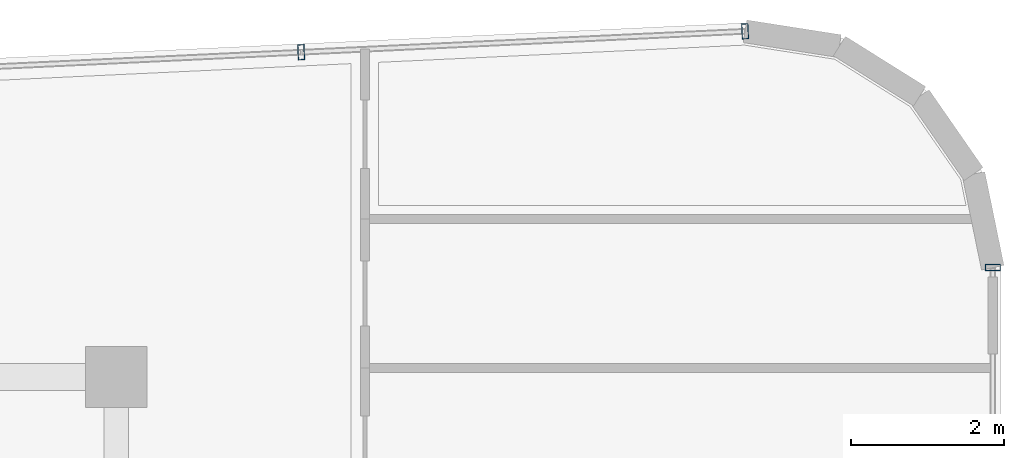
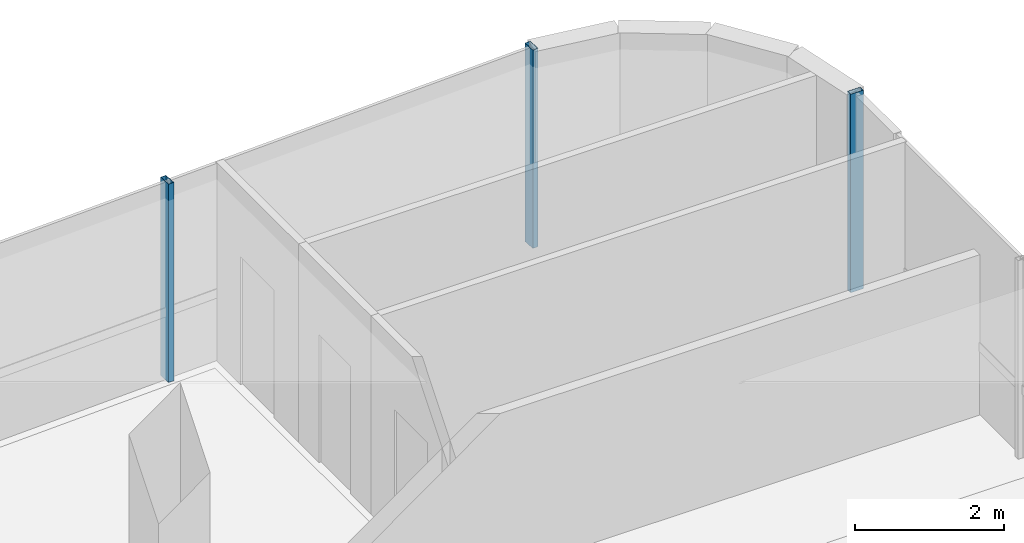
# One storey, part 12 of 18: 3 members, 2 elements without a shape of their own.
"""IFC4 building model written with IfcOpenShell, lengths in metres."""

import ifcopenshell
import ifcopenshell.guid

model = None  # the IFC model being written
_history = None  # IfcOwnerHistory: only IFC2X3 demands one
_inside = {}  # id of a spatial element -> (the spatial element, [elements in it])
_under = {}  # id of a project, library or spatial element -> (it, [spatial elements below it])
_declared = {}  # id of a project -> (the project, [libraries it declares])
_typed = {}  # id of a type object -> (the type object, [elements of that type])
_made_of = {}  # id of a material, layer set ... -> (it, [elements and type objects made of it])


def new_model(schema):
    """Start an empty IFC model of exactly this schema.

    Asked for "IFC4X3", IfcOpenShell would pick the latest addendum, in which some entities
    have other attributes; the version numbers below select the first issue.
    IFC2X3 requires an IfcOwnerHistory on every rooted entity: one is made here for all.
    """
    global model, _history
    if schema == "IFC4X3":
        model = ifcopenshell.file(schema_version=(4, 3, 0, 0))
    else:
        model = ifcopenshell.file(schema=schema)
    _inside.clear()
    _under.clear()
    _declared.clear()
    _typed.clear()
    _made_of.clear()
    _history = None
    if model.schema == "IFC2X3":
        org = make("IfcOrganization", Name="unknown")
        user = make(
            "IfcPersonAndOrganization",
            ThePerson=make("IfcPerson", FamilyName="unknown"),
            TheOrganization=org,
        )
        app = make(
            "IfcApplication",
            ApplicationDeveloper=org,
            Version="unknown",
            ApplicationFullName="unknown",
            ApplicationIdentifier="unknown",
        )
        _history = make(
            "IfcOwnerHistory",
            OwningUser=user,
            OwningApplication=app,
            ChangeAction="ADDED",
            CreationDate=0,
        )
    return model


def make(cls, **values):
    """One entity of the class cls with the attributes given. An attribute that is None is left unset."""
    return model.create_entity(
        cls, **{name: value for name, value in values.items() if value is not None}
    )


def rooted(cls, **values):
    """An entity with a GlobalId (a new one), such as an element, a storey or a relation."""
    return make(cls, GlobalId=ifcopenshell.guid.new(), OwnerHistory=_history, **values)


def si_unit(unit_type, name, prefix=None):
    """IfcSIUnit, for example si_unit("LENGTHUNIT", "METRE", prefix="MILLI")."""
    return make("IfcSIUnit", UnitType=unit_type, Prefix=prefix, Name=name)


def assignment(units):
    """IfcUnitAssignment: the units of a project."""
    return None if units is None else make("IfcUnitAssignment", Units=units)


def point(xyz):
    """IfcCartesianPoint."""
    return None if xyz is None else make("IfcCartesianPoint", Coordinates=xyz)


def direction(xyz):
    """IfcDirection."""
    return None if xyz is None else make("IfcDirection", DirectionRatios=xyz)


def frame(location, z_axis=None, x_axis=None):
    """IfcAxis2Placement3D, a coordinate frame: its origin and axes. An axis left out is left unset."""
    return make(
        "IfcAxis2Placement3D",
        Location=point(location),
        Axis=direction(z_axis),
        RefDirection=direction(x_axis),
    )


def frame_2d(location, x_axis=None):
    """IfcAxis2Placement2D, a coordinate frame in the plane: its origin and x axis."""
    return make(
        "IfcAxis2Placement2D", Location=point(location), RefDirection=direction(x_axis)
    )


def origin():
    """The frame at (0, 0, 0) with its axes left unset."""
    return frame((0.0, 0.0, 0.0))


def origin_2d():
    """The frame at (0, 0) in the plane with its x axis left unset."""
    return frame_2d((0.0, 0.0))


def place(relative_to, where):
    """IfcLocalPlacement: puts the frame where relative to a parent placement (None: the world)."""
    return make(
        "IfcLocalPlacement", PlacementRelTo=relative_to, RelativePlacement=where
    )


def context(
    kind, dimensions, precision=None, world=None, true_north=None, identifier=None
):
    """IfcGeometricRepresentationContext, for example the 3D "Model" context."""
    return make(
        "IfcGeometricRepresentationContext",
        ContextIdentifier=identifier,
        ContextType=kind,
        CoordinateSpaceDimension=dimensions,
        Precision=precision,
        WorldCoordinateSystem=world,
        TrueNorth=true_north,
    )


def subcontext(parent, identifier, kind, view, scale=None):
    """IfcGeometricRepresentationSubContext, for example "Body" below "Model"."""
    return make(
        "IfcGeometricRepresentationSubContext",
        ContextIdentifier=identifier,
        ContextType=kind,
        ParentContext=parent,
        TargetScale=scale,
        TargetView=view,
    )


def project(units=None, contexts=None):
    """IfcProject with its units and contexts."""
    return rooted(
        "IfcProject",
        Name="project",
        RepresentationContexts=contexts,
        UnitsInContext=assignment(units),
    )


def spatial(cls, under=None, at=None, **own):
    """A site, building, storey or space (cls), placed at a placement, below another one or the project."""
    s = rooted(cls, ObjectPlacement=at, **own)
    if under is not None:
        _under.setdefault(under.id(), (under, []))[1].append(s)
    return s


def profile(cls, at=None, kind="AREA", **sizes):
    """A parametric profile (cls). Its sizes go by their IFC names, for example OverallWidth=200.0."""
    return make(cls, ProfileType=kind, Position=at, **sizes)


def hollow_rectangle(**sizes):
    """IfcRectangleHollowProfileDef."""
    return profile("IfcRectangleHollowProfileDef", **sizes)


def extrude(swept, where, along, depth):
    """IfcExtrudedAreaSolid: the profile swept, set in the frame where, extruded along a direction by depth."""
    return make(
        "IfcExtrudedAreaSolid",
        SweptArea=swept,
        Position=where,
        ExtrudedDirection=direction(along),
        Depth=depth,
    )


def shape(context_of_items, identifier, shape_type, items):
    """IfcShapeRepresentation: the items that make up one representation, for example the "Body"."""
    return make(
        "IfcShapeRepresentation",
        ContextOfItems=context_of_items,
        RepresentationIdentifier=identifier,
        RepresentationType=shape_type,
        Items=items,
    )


def source(mapping_origin, context_of_items, identifier, shape_type, items):
    """IfcRepresentationMap: a shape defined once, which mapped items show again and again."""
    return make(
        "IfcRepresentationMap",
        MappingOrigin=mapping_origin,
        MappedRepresentation=shape(context_of_items, identifier, shape_type, items),
    )


def transform(
    local_origin,
    x_axis=None,
    y_axis=None,
    z_axis=None,
    scale=None,
    scale2=None,
    scale3=None,
    uniform=True,
):
    """IfcCartesianTransformationOperator3D, or its non-uniform kind. x_axis, y_axis, z_axis: its Axis1, 2, 3."""
    if uniform:
        return make(
            "IfcCartesianTransformationOperator3D",
            Axis1=direction(x_axis),
            Axis2=direction(y_axis),
            LocalOrigin=point(local_origin),
            Scale=scale,
            Axis3=direction(z_axis),
        )
    return make(
        "IfcCartesianTransformationOperator3DnonUniform",
        Axis1=direction(x_axis),
        Axis2=direction(y_axis),
        LocalOrigin=point(local_origin),
        Scale=scale,
        Axis3=direction(z_axis),
        Scale2=scale2,
        Scale3=scale3,
    )


def mapped(mapping_source, mapping_target):
    """IfcMappedItem: shows the shape of a source again, moved by a transform."""
    return make(
        "IfcMappedItem", MappingSource=mapping_source, MappingTarget=mapping_target
    )


def material(Name=None, Category=None):
    """IfcMaterial."""
    return make("IfcMaterial", Name=Name, Category=Category)


def material_profile(
    of_material, cross_section, Name=None, Category=None, Priority=None
):
    """IfcMaterialProfile: a cross section and its material."""
    return make(
        "IfcMaterialProfile",
        Name=Name,
        Material=of_material,
        Profile=cross_section,
        Priority=Priority,
        Category=Category,
    )


def profile_set(profiles, Name=None, composite=None):
    """IfcMaterialProfileSet."""
    return make(
        "IfcMaterialProfileSet",
        Name=Name,
        MaterialProfiles=profiles,
        CompositeProfile=composite,
    )


def made_of(thing, what):
    """Note that an element or type object is made of a material, layer set ...; save() writes the relation."""
    if what is not None:
        _made_of.setdefault(what.id(), (what, []))[1].append(thing)
    return thing


def type_object(cls, material=None, **own):
    """A type object (cls), such as IfcWallType, which elements share."""
    return made_of(rooted(cls, **own), material)


def element(
    cls,
    number,
    at=None,
    inside=None,
    cuts=None,
    type_object=None,
    material=None,
    context=None,
    identifier="Body",
    shape_type=None,
    held_by="IfcProductDefinitionShape",
    body=None,
    shapes=None,
    **own,
):
    """One element of the class cls, such as IfcWall. Its Tag is "e" and its number.

    at: its placement. inside: the storey or other place that contains it. cuts: it is an
    opening in that element (IfcRelVoidsElement). A single representation is given by context,
    identifier, shape_type and body (its items); several are given by shapes. held_by: the class
    of the entity that holds the representations. save() writes the other relations.
    """
    e = rooted(cls, Tag="e%d" % number, ObjectPlacement=at, **own)
    if body is not None:
        shapes = [shape(context, identifier, shape_type, body)]
    if shapes is not None:
        e.Representation = make(held_by, Representations=shapes)
    if inside is not None:
        _inside.setdefault(inside.id(), (inside, []))[1].append(e)
    if cuts is not None:
        rooted(
            "IfcRelVoidsElement", RelatingBuildingElement=cuts, RelatedOpeningElement=e
        )
    if type_object is not None:
        _typed.setdefault(type_object.id(), (type_object, []))[1].append(e)
    return made_of(e, material)


def aggregate(whole, parts):
    """IfcRelAggregates: a whole, such as a stair, and the parts it consists of."""
    return rooted("IfcRelAggregates", RelatingObject=whole, RelatedObjects=parts)


def save(model, path):
    """Write the relations noted so far, then the file.

    IfcRelAggregates (storeys below a building ...), IfcRelContainedInSpatialStructure (elements
    in a storey), IfcRelDefinesByType, IfcRelAssociatesMaterial and IfcRelDeclares: one each for
    every whole, place, type object, material and project.
    """
    for whole, parts in _under.values():
        aggregate(whole, parts)
    for where, things in _inside.values():
        rooted(
            "IfcRelContainedInSpatialStructure",
            RelatedElements=things,
            RelatingStructure=where,
        )
    for kind, things in _typed.values():
        rooted("IfcRelDefinesByType", RelatedObjects=things, RelatingType=kind)
    for what, things in _made_of.values():
        rooted("IfcRelAssociatesMaterial", RelatedObjects=things, RelatingMaterial=what)
    for by, libraries in _declared.values():
        rooted("IfcRelDeclares", RelatingContext=by, RelatedDefinitions=libraries)
    model.write(path)


model = new_model("IFC4")

# Units and contexts
model_context = context("Model", 3, precision=1e-05, world=origin(), true_north=direction((0.0, 1.0)))
body_context = subcontext(model_context, "Body", "Model", "MODEL_VIEW")
ifc_project = project(units=[si_unit("LENGTHUNIT", "METRE"), si_unit("AREAUNIT", "SQUARE_METRE"), si_unit("VOLUMEUNIT", "CUBIC_METRE"), si_unit("PLANEANGLEUNIT", "RADIAN"), si_unit("MASSUNIT", "GRAM", prefix="KILO")], contexts=[model_context])

# Site, building, storey
site_placement = place(None, origin())
site = spatial("IfcSite", under=ifc_project, at=site_placement, CompositionType="ELEMENT")
building_placement = place(site_placement, origin())
building = spatial("IfcBuilding", under=site, at=building_placement, Name="Valdorenza Pilgrim Sanctuary Tower", CompositionType="ELEMENT")
storey_placement = place(building_placement, frame((0.0, 0.0, 247.5)))
storey = spatial("IfcBuildingStorey", under=building, at=storey_placement, Name="L64", CompositionType="ELEMENT", Elevation=247.5)

# Curtain wall, members
ifc_material_1 = material(Name="Curtain-wall IGU glazing", Category="glass")
curtain_wall_type = type_object("IfcCurtainWallType", Name="CW-SYS-02", PredefinedType="NOTDEFINED", material=ifc_material_1)
curtain_wall_1_placement = place(storey_placement, origin())
curtain_wall_1 = element("IfcCurtainWall", 1, at=curtain_wall_1_placement, inside=storey, type_object=curtain_wall_type, Name="L64 Curtain Wall CW-L64-1-6", PredefinedType="NOTDEFINED")
ifc_material_2 = material(Name="Anodised aluminium AW-6060", Category="aluminium")
ifc_material_profile = material_profile(ifc_material_2, hollow_rectangle(XDim=0.0849609375, YDim=0.199951171875, WallThickness=0.0048828125, at=origin_2d()), Name="ALU-M 200x85x5")
ifc_profile_set = profile_set([ifc_material_profile], Name="Anodised aluminium AW-6060")
member_type = type_object("IfcMemberType", Name="CW-MUL-02", PredefinedType="MULLION", material=ifc_profile_set)
shared_shape = source(origin(), body_context, "Body", "SweptSolid", [
    extrude(hollow_rectangle(XDim=0.0849609375, YDim=0.199951171875, WallThickness=0.0048828125, at=origin_2d()), origin(), (0.0, 0.0, 1.0), 3.260009765625),
])
member_1_placement = place(storey_placement, frame((-9.976318359375, 19.057373046875, 0.0), z_axis=(0.0, 0.0, 1.0), x_axis=(0.998890696972, 0.047089016785, 0.0)))
member_1 = element("IfcMember", 2, at=member_1_placement, type_object=member_type, Name="CW-L64-1-6 Mullion 4", PredefinedType="MULLION", context=body_context, shape_type="MappedRepresentation", body=[
    mapped(shared_shape, transform((0.0, 0.0, 0.0), x_axis=(1.0, 0.0, 0.0), y_axis=(0.0, 1.0, 0.0), z_axis=(0.0, 0.0, 1.0), scale=1.0)),
])
member_2_placement = place(storey_placement, frame((-4.15673828125, 19.331787109375, 0.0), z_axis=(0.0, 0.0, 1.0), x_axis=(0.998890696972, 0.047089016785, 0.0)))
member_2 = element("IfcMember", 3, at=member_2_placement, type_object=member_type, Name="CW-L64-1-6 Mullion 5", PredefinedType="MULLION", context=body_context, shape_type="MappedRepresentation", body=[
    mapped(shared_shape, transform((0.0, 0.0, 0.0), x_axis=(1.0, 0.0, 0.0), y_axis=(0.0, 1.0, 0.0), z_axis=(0.0, 0.0, 1.0), scale=1.0)),
])
aggregate(curtain_wall_1, [member_1, member_2])

# Curtain wall, member
curtain_wall_2_placement = place(storey_placement, origin())
curtain_wall_2 = element("IfcCurtainWall", 4, at=curtain_wall_2_placement, inside=storey, type_object=curtain_wall_type, Name="L64 Curtain Wall CW-L64-1-11", PredefinedType="NOTDEFINED")
member_3_placement = place(storey_placement, frame((-0.909912109375, 16.234375, 0.0), z_axis=(0.0, 0.0, 1.0), x_axis=(0.0, -1.0, 0.0)))
member_3 = element("IfcMember", 5, at=member_3_placement, type_object=member_type, Name="CW-L64-1-11 Mullion 1", PredefinedType="MULLION", context=body_context, shape_type="MappedRepresentation", body=[
    mapped(shared_shape, transform((0.0, 0.0, 0.0), x_axis=(1.0, 0.0, 0.0), y_axis=(0.0, 1.0, 0.0), z_axis=(0.0, 0.0, 1.0), scale=1.0)),
])
aggregate(curtain_wall_2, [member_3])

save(model, "model.ifc")
